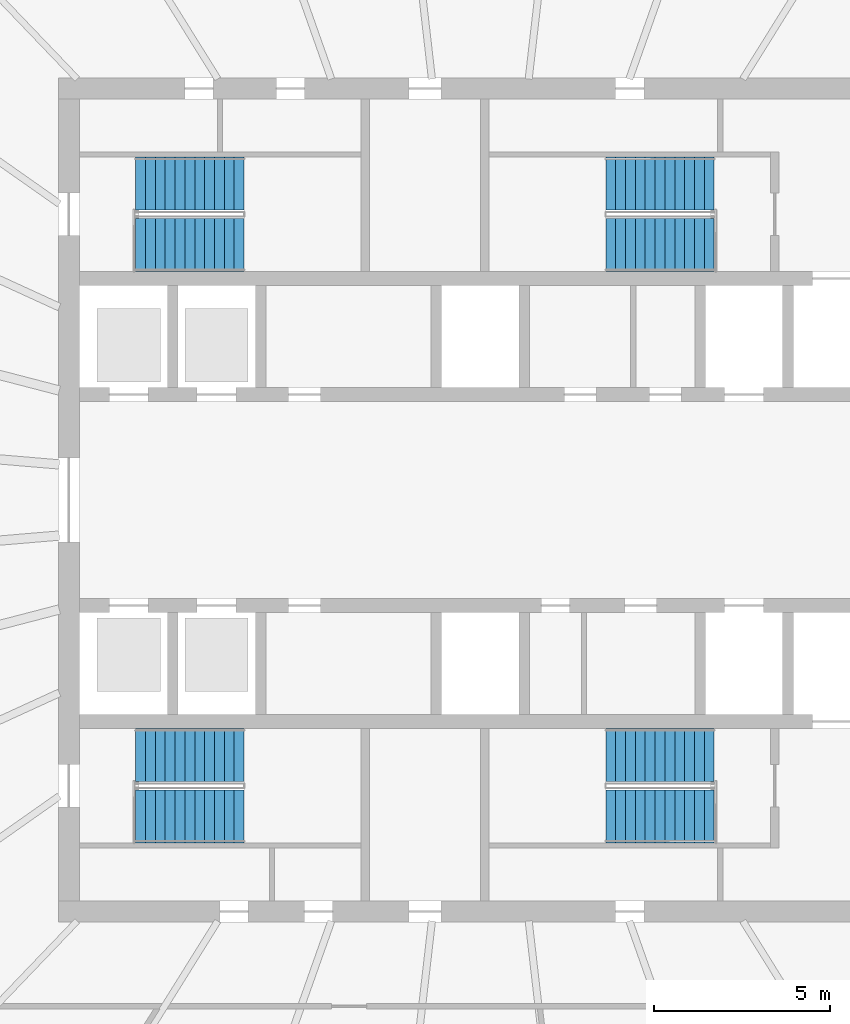
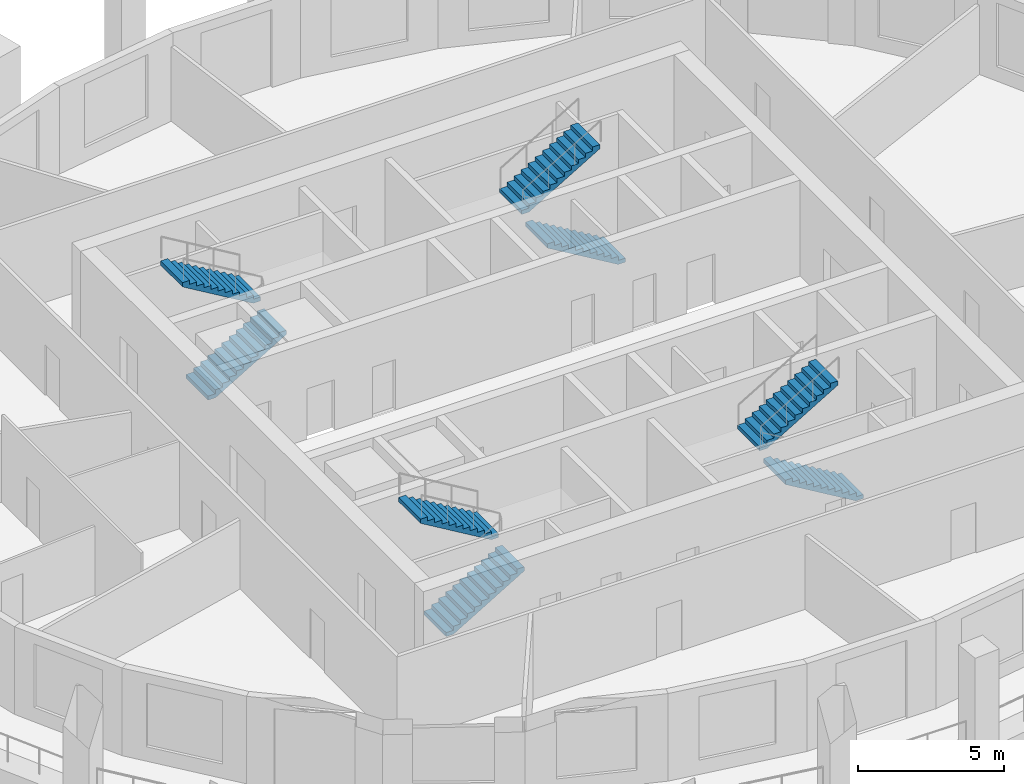
# One storey, part 7 of 10: 8 stair flights, 4 elements without a shape of their own.
"""IFC4 building model written with IfcOpenShell, lengths in metres."""

from ifc_helpers import new_model, si_unit, direction, frame, origin, place, context, subcontext, project, spatial, polyline, outline, extrude, material, type_object, element, aggregate, save


model = new_model("IFC4")

# Units and contexts
model_context = context("Model", 3, precision=1e-05, world=origin(), true_north=direction((0.0, 1.0)))
body_context = subcontext(model_context, "Body", "Model", "MODEL_VIEW")
ifc_project = project(units=[si_unit("LENGTHUNIT", "METRE"), si_unit("AREAUNIT", "SQUARE_METRE"), si_unit("VOLUMEUNIT", "CUBIC_METRE"), si_unit("PLANEANGLEUNIT", "RADIAN"), si_unit("MASSUNIT", "GRAM", prefix="KILO")], contexts=[model_context])

# Site, building, storey
site_placement = place(None, origin())
site = spatial("IfcSite", under=ifc_project, at=site_placement, CompositionType="ELEMENT")
building_placement = place(site_placement, origin())
building = spatial("IfcBuilding", under=site, at=building_placement, Name="Halqa Exchange Tower", CompositionType="ELEMENT")
storey_placement = place(building_placement, frame((0.0, 0.0, 324.300048828125)))
storey = spatial("IfcBuildingStorey", under=building, at=storey_placement, Name="L76", CompositionType="ELEMENT", Elevation=324.300048828125)

# Stair, stair flights
ifc_material = material(Name="Concrete C30/37", Category="concrete")
stair_type = type_object("IfcStairType", Name="Exit stair 1500 wide", PredefinedType="HALF_TURN_STAIR", material=ifc_material)
stair_1_placement = place(storey_placement, origin())
stair_1 = element("IfcStair", 1, at=stair_1_placement, inside=storey, type_object=stair_type, Name="Exit stair ST1", PredefinedType="HALF_TURN_STAIR")
stair_flight_type = type_object("IfcStairFlightType", Name="Stair flight 1500 wide", PredefinedType="STRAIGHT", material=ifc_material)
stair_flight_1_placement = place(storey_placement, frame((-9.800048828125, 7.25, 0.0), z_axis=(0.0, 0.0, 1.0), x_axis=(1.0, 0.0, 0.0)))
stair_flight_1 = element("IfcStairFlight", 2, at=stair_flight_1_placement, type_object=stair_flight_type, Name="ST1 flight 1", NumberOfRisers=12, NumberOfTreads=11, PredefinedType="STRAIGHT", RiserHeight=0.166666667, TreadLength=0.28, context=body_context, shape_type="SweptSolid", body=[
    extrude(outline(polyline([(0.0, 0.0), (0.0, 0.166748046875), (0.280029296875, 0.166748046875), (0.280029296875, 0.333251953125), (0.56005859375, 0.333251953125), (0.56005859375, 0.5), (0.840087890625, 0.5), (0.840087890625, 0.666748046875), (1.1201171875, 0.666748046875), (1.1201171875, 0.833251953125), (1.39990234375, 0.833251953125), (1.39990234375, 1.0), (1.679931640625, 1.0), (1.679931640625, 1.166748046875), (1.9599609375, 1.166748046875), (1.9599609375, 1.333251953125), (2.239990234375, 1.333251953125), (2.239990234375, 1.5), (2.52001953125, 1.5), (2.52001953125, 1.666748046875), (2.800048828125, 1.666748046875), (2.800048828125, 1.833251953125), (3.080078125, 1.833251953125), (3.080078125, 2.0), (3.080078125, 1.658935546875), (0.29296875, 0.0), (0.0, 0.0)])), frame((0.0, 0.75, 0.0), z_axis=(0.0, -1.0, 0.0), x_axis=(1.0, 0.0, 0.0)), (0.0, 0.0, 1.0), 1.5),
])
stair_flight_2_placement = place(storey_placement, frame((-6.719970703125, 9.0, 2.0), z_axis=(0.0, 0.0, 1.0), x_axis=(-1.0, 0.0, 0.0)))
stair_flight_2 = element("IfcStairFlight", 3, at=stair_flight_2_placement, type_object=stair_flight_type, Name="ST1 flight 2", NumberOfRisers=12, NumberOfTreads=11, PredefinedType="STRAIGHT", RiserHeight=0.166666667, TreadLength=0.28, context=body_context, shape_type="SweptSolid", body=[
    extrude(outline(polyline([(0.0, 0.0), (0.0, 0.166748046875), (0.280029296875, 0.166748046875), (0.280029296875, 0.333251953125), (0.56005859375, 0.333251953125), (0.56005859375, 0.5), (0.840087890625, 0.5), (0.840087890625, 0.666748046875), (1.1201171875, 0.666748046875), (1.1201171875, 0.833251953125), (1.39990234375, 0.833251953125), (1.39990234375, 1.0), (1.679931640625, 1.0), (1.679931640625, 1.166748046875), (1.9599609375, 1.166748046875), (1.9599609375, 1.333251953125), (2.239990234375, 1.333251953125), (2.239990234375, 1.5), (2.52001953125, 1.5), (2.52001953125, 1.666748046875), (2.800048828125, 1.666748046875), (2.800048828125, 1.833251953125), (3.080078125, 1.833251953125), (3.080078125, 2.0), (3.080078125, 1.658935546875), (0.29296875, 0.0), (0.0, 0.0)])), frame((0.0, 0.75, 0.0), z_axis=(0.0, -1.0, 0.0), x_axis=(1.0, 0.0, 0.0)), (0.0, 0.0, 1.0), 1.5),
])
aggregate(stair_1, [stair_flight_1, stair_flight_2])

stair_2_placement = place(storey_placement, origin())
stair_2 = element("IfcStair", 4, at=stair_2_placement, inside=storey, type_object=stair_type, Name="Exit stair ST2", PredefinedType="HALF_TURN_STAIR")
stair_flight_3_placement = place(storey_placement, frame((6.64990234375, 7.25, 0.0), z_axis=(0.0, 0.0, 1.0), x_axis=(-1.0, 0.0, 0.0)))
stair_flight_3 = element("IfcStairFlight", 5, at=stair_flight_3_placement, type_object=stair_flight_type, Name="ST2 flight 1", NumberOfRisers=12, NumberOfTreads=11, PredefinedType="STRAIGHT", RiserHeight=0.166666667, TreadLength=0.28, context=body_context, shape_type="SweptSolid", body=[
    extrude(outline(polyline([(0.0, 0.0), (0.0, 0.166748046875), (0.280029296875, 0.166748046875), (0.280029296875, 0.333251953125), (0.56005859375, 0.333251953125), (0.56005859375, 0.5), (0.840087890625, 0.5), (0.840087890625, 0.666748046875), (1.1201171875, 0.666748046875), (1.1201171875, 0.833251953125), (1.39990234375, 0.833251953125), (1.39990234375, 1.0), (1.679931640625, 1.0), (1.679931640625, 1.166748046875), (1.9599609375, 1.166748046875), (1.9599609375, 1.333251953125), (2.239990234375, 1.333251953125), (2.239990234375, 1.5), (2.52001953125, 1.5), (2.52001953125, 1.666748046875), (2.800048828125, 1.666748046875), (2.800048828125, 1.833251953125), (3.080078125, 1.833251953125), (3.080078125, 2.0), (3.080078125, 1.658935546875), (0.29296875, 0.0), (0.0, 0.0)])), frame((0.0, 0.75, 0.0), z_axis=(0.0, -1.0, 0.0), x_axis=(1.0, 0.0, 0.0)), (0.0, 0.0, 1.0), 1.5),
])
stair_flight_4_placement = place(storey_placement, frame((3.570068359375, 9.0, 2.0), z_axis=(0.0, 0.0, 1.0), x_axis=(1.0, 0.0, 0.0)))
stair_flight_4 = element("IfcStairFlight", 6, at=stair_flight_4_placement, type_object=stair_flight_type, Name="ST2 flight 2", NumberOfRisers=12, NumberOfTreads=11, PredefinedType="STRAIGHT", RiserHeight=0.166666667, TreadLength=0.28, context=body_context, shape_type="SweptSolid", body=[
    extrude(outline(polyline([(0.0, 0.0), (0.0, 0.166748046875), (0.280029296875, 0.166748046875), (0.280029296875, 0.333251953125), (0.56005859375, 0.333251953125), (0.56005859375, 0.5), (0.840087890625, 0.5), (0.840087890625, 0.666748046875), (1.1201171875, 0.666748046875), (1.1201171875, 0.833251953125), (1.39990234375, 0.833251953125), (1.39990234375, 1.0), (1.679931640625, 1.0), (1.679931640625, 1.166748046875), (1.9599609375, 1.166748046875), (1.9599609375, 1.333251953125), (2.239990234375, 1.333251953125), (2.239990234375, 1.5), (2.52001953125, 1.5), (2.52001953125, 1.666748046875), (2.800048828125, 1.666748046875), (2.800048828125, 1.833251953125), (3.080078125, 1.833251953125), (3.080078125, 2.0), (3.080078125, 1.658935546875), (0.29296875, 0.0), (0.0, 0.0)])), frame((0.0, 0.75, 0.0), z_axis=(0.0, -1.0, 0.0), x_axis=(1.0, 0.0, 0.0)), (0.0, 0.0, 1.0), 1.5),
])
aggregate(stair_2, [stair_flight_3, stair_flight_4])

stair_3_placement = place(storey_placement, origin())
stair_3 = element("IfcStair", 7, at=stair_3_placement, inside=storey, type_object=stair_type, Name="Exit stair ST3", PredefinedType="HALF_TURN_STAIR")
stair_flight_5_placement = place(storey_placement, frame((-9.800048828125, -9.0, 0.0), z_axis=(0.0, 0.0, 1.0), x_axis=(1.0, 0.0, 0.0)))
stair_flight_5 = element("IfcStairFlight", 8, at=stair_flight_5_placement, type_object=stair_flight_type, Name="ST3 flight 1", NumberOfRisers=12, NumberOfTreads=11, PredefinedType="STRAIGHT", RiserHeight=0.166666667, TreadLength=0.28, context=body_context, shape_type="SweptSolid", body=[
    extrude(outline(polyline([(0.0, 0.0), (0.0, 0.166748046875), (0.280029296875, 0.166748046875), (0.280029296875, 0.333251953125), (0.56005859375, 0.333251953125), (0.56005859375, 0.5), (0.840087890625, 0.5), (0.840087890625, 0.666748046875), (1.1201171875, 0.666748046875), (1.1201171875, 0.833251953125), (1.39990234375, 0.833251953125), (1.39990234375, 1.0), (1.679931640625, 1.0), (1.679931640625, 1.166748046875), (1.9599609375, 1.166748046875), (1.9599609375, 1.333251953125), (2.239990234375, 1.333251953125), (2.239990234375, 1.5), (2.52001953125, 1.5), (2.52001953125, 1.666748046875), (2.800048828125, 1.666748046875), (2.800048828125, 1.833251953125), (3.080078125, 1.833251953125), (3.080078125, 2.0), (3.080078125, 1.658935546875), (0.29296875, 0.0), (0.0, 0.0)])), frame((0.0, 0.75, 0.0), z_axis=(0.0, -1.0, 0.0), x_axis=(1.0, 0.0, 0.0)), (0.0, 0.0, 1.0), 1.5),
])
stair_flight_6_placement = place(storey_placement, frame((-6.719970703125, -7.25, 2.0), z_axis=(0.0, 0.0, 1.0), x_axis=(-1.0, 0.0, 0.0)))
stair_flight_6 = element("IfcStairFlight", 9, at=stair_flight_6_placement, type_object=stair_flight_type, Name="ST3 flight 2", NumberOfRisers=12, NumberOfTreads=11, PredefinedType="STRAIGHT", RiserHeight=0.166666667, TreadLength=0.28, context=body_context, shape_type="SweptSolid", body=[
    extrude(outline(polyline([(0.0, 0.0), (0.0, 0.166748046875), (0.280029296875, 0.166748046875), (0.280029296875, 0.333251953125), (0.56005859375, 0.333251953125), (0.56005859375, 0.5), (0.840087890625, 0.5), (0.840087890625, 0.666748046875), (1.1201171875, 0.666748046875), (1.1201171875, 0.833251953125), (1.39990234375, 0.833251953125), (1.39990234375, 1.0), (1.679931640625, 1.0), (1.679931640625, 1.166748046875), (1.9599609375, 1.166748046875), (1.9599609375, 1.333251953125), (2.239990234375, 1.333251953125), (2.239990234375, 1.5), (2.52001953125, 1.5), (2.52001953125, 1.666748046875), (2.800048828125, 1.666748046875), (2.800048828125, 1.833251953125), (3.080078125, 1.833251953125), (3.080078125, 2.0), (3.080078125, 1.658935546875), (0.29296875, 0.0), (0.0, 0.0)])), frame((0.0, 0.75, 0.0), z_axis=(0.0, -1.0, 0.0), x_axis=(1.0, 0.0, 0.0)), (0.0, 0.0, 1.0), 1.5),
])
aggregate(stair_3, [stair_flight_5, stair_flight_6])

stair_4_placement = place(storey_placement, origin())
stair_4 = element("IfcStair", 10, at=stair_4_placement, inside=storey, type_object=stair_type, Name="Exit stair ST4", PredefinedType="HALF_TURN_STAIR")
stair_flight_7_placement = place(storey_placement, frame((6.64990234375, -9.0, 0.0), z_axis=(0.0, 0.0, 1.0), x_axis=(-1.0, 0.0, 0.0)))
stair_flight_7 = element("IfcStairFlight", 11, at=stair_flight_7_placement, type_object=stair_flight_type, Name="ST4 flight 1", NumberOfRisers=12, NumberOfTreads=11, PredefinedType="STRAIGHT", RiserHeight=0.166666667, TreadLength=0.28, context=body_context, shape_type="SweptSolid", body=[
    extrude(outline(polyline([(0.0, 0.0), (0.0, 0.166748046875), (0.280029296875, 0.166748046875), (0.280029296875, 0.333251953125), (0.56005859375, 0.333251953125), (0.56005859375, 0.5), (0.840087890625, 0.5), (0.840087890625, 0.666748046875), (1.1201171875, 0.666748046875), (1.1201171875, 0.833251953125), (1.39990234375, 0.833251953125), (1.39990234375, 1.0), (1.679931640625, 1.0), (1.679931640625, 1.166748046875), (1.9599609375, 1.166748046875), (1.9599609375, 1.333251953125), (2.239990234375, 1.333251953125), (2.239990234375, 1.5), (2.52001953125, 1.5), (2.52001953125, 1.666748046875), (2.800048828125, 1.666748046875), (2.800048828125, 1.833251953125), (3.080078125, 1.833251953125), (3.080078125, 2.0), (3.080078125, 1.658935546875), (0.29296875, 0.0), (0.0, 0.0)])), frame((0.0, 0.75, 0.0), z_axis=(0.0, -1.0, 0.0), x_axis=(1.0, 0.0, 0.0)), (0.0, 0.0, 1.0), 1.5),
])
stair_flight_8_placement = place(storey_placement, frame((3.570068359375, -7.25, 2.0), z_axis=(0.0, 0.0, 1.0), x_axis=(1.0, 0.0, 0.0)))
stair_flight_8 = element("IfcStairFlight", 12, at=stair_flight_8_placement, type_object=stair_flight_type, Name="ST4 flight 2", NumberOfRisers=12, NumberOfTreads=11, PredefinedType="STRAIGHT", RiserHeight=0.166666667, TreadLength=0.28, context=body_context, shape_type="SweptSolid", body=[
    extrude(outline(polyline([(0.0, 0.0), (0.0, 0.166748046875), (0.280029296875, 0.166748046875), (0.280029296875, 0.333251953125), (0.56005859375, 0.333251953125), (0.56005859375, 0.5), (0.840087890625, 0.5), (0.840087890625, 0.666748046875), (1.1201171875, 0.666748046875), (1.1201171875, 0.833251953125), (1.39990234375, 0.833251953125), (1.39990234375, 1.0), (1.679931640625, 1.0), (1.679931640625, 1.166748046875), (1.9599609375, 1.166748046875), (1.9599609375, 1.333251953125), (2.239990234375, 1.333251953125), (2.239990234375, 1.5), (2.52001953125, 1.5), (2.52001953125, 1.666748046875), (2.800048828125, 1.666748046875), (2.800048828125, 1.833251953125), (3.080078125, 1.833251953125), (3.080078125, 2.0), (3.080078125, 1.658935546875), (0.29296875, 0.0), (0.0, 0.0)])), frame((0.0, 0.75, 0.0), z_axis=(0.0, -1.0, 0.0), x_axis=(1.0, 0.0, 0.0)), (0.0, 0.0, 1.0), 1.5),
])
aggregate(stair_4, [stair_flight_7, stair_flight_8])

save(model, "model.ifc")
